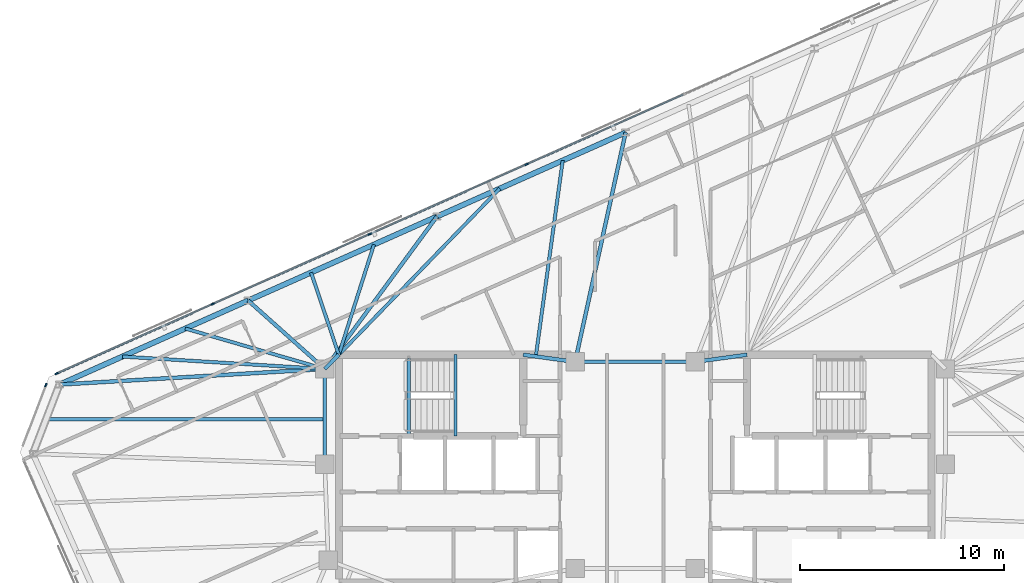
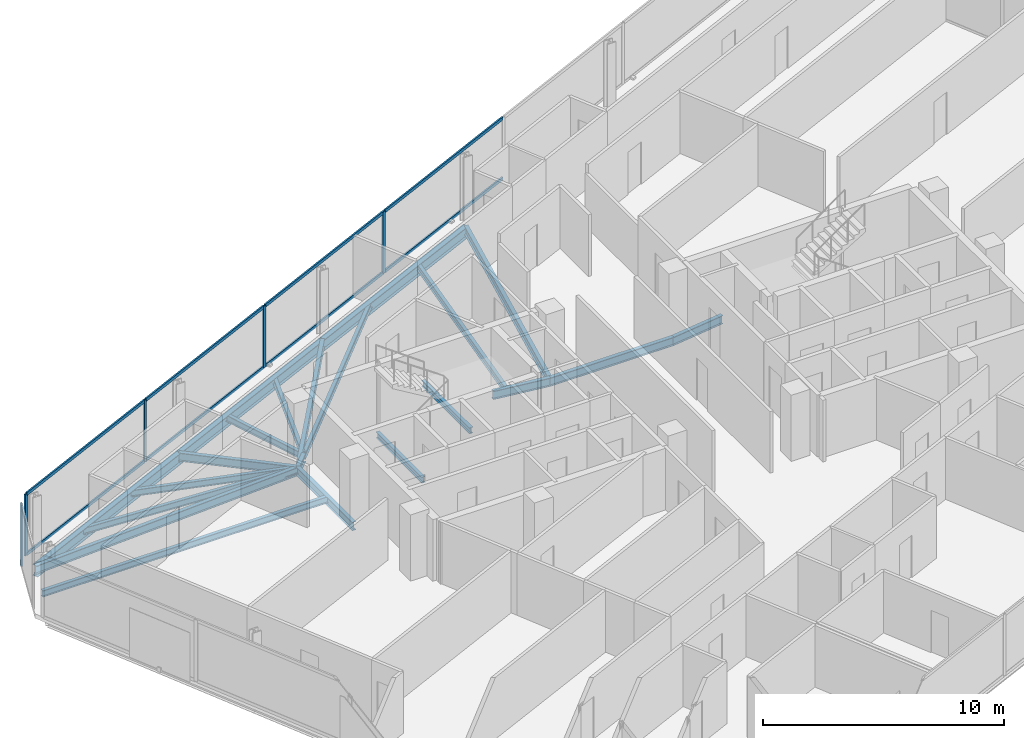
# One storey, part 9 of 19: 21 beams, 13 members, 2 elements without a shape of their own.
"""IFC4 building model written with IfcOpenShell, lengths in metres."""

import ifcopenshell
import ifcopenshell.guid

model = None  # the IFC model being written
_history = None  # IfcOwnerHistory: only IFC2X3 demands one
_inside = {}  # id of a spatial element -> (the spatial element, [elements in it])
_under = {}  # id of a project, library or spatial element -> (it, [spatial elements below it])
_declared = {}  # id of a project -> (the project, [libraries it declares])
_typed = {}  # id of a type object -> (the type object, [elements of that type])
_made_of = {}  # id of a material, layer set ... -> (it, [elements and type objects made of it])


def new_model(schema):
    """Start an empty IFC model of exactly this schema.

    Asked for "IFC4X3", IfcOpenShell would pick the latest addendum, in which some entities
    have other attributes; the version numbers below select the first issue.
    IFC2X3 requires an IfcOwnerHistory on every rooted entity: one is made here for all.
    """
    global model, _history
    if schema == "IFC4X3":
        model = ifcopenshell.file(schema_version=(4, 3, 0, 0))
    else:
        model = ifcopenshell.file(schema=schema)
    _inside.clear()
    _under.clear()
    _declared.clear()
    _typed.clear()
    _made_of.clear()
    _history = None
    if model.schema == "IFC2X3":
        org = make("IfcOrganization", Name="unknown")
        user = make(
            "IfcPersonAndOrganization",
            ThePerson=make("IfcPerson", FamilyName="unknown"),
            TheOrganization=org,
        )
        app = make(
            "IfcApplication",
            ApplicationDeveloper=org,
            Version="unknown",
            ApplicationFullName="unknown",
            ApplicationIdentifier="unknown",
        )
        _history = make(
            "IfcOwnerHistory",
            OwningUser=user,
            OwningApplication=app,
            ChangeAction="ADDED",
            CreationDate=0,
        )
    return model


def make(cls, **values):
    """One entity of the class cls with the attributes given. An attribute that is None is left unset."""
    return model.create_entity(
        cls, **{name: value for name, value in values.items() if value is not None}
    )


def rooted(cls, **values):
    """An entity with a GlobalId (a new one), such as an element, a storey or a relation."""
    return make(cls, GlobalId=ifcopenshell.guid.new(), OwnerHistory=_history, **values)


def si_unit(unit_type, name, prefix=None):
    """IfcSIUnit, for example si_unit("LENGTHUNIT", "METRE", prefix="MILLI")."""
    return make("IfcSIUnit", UnitType=unit_type, Prefix=prefix, Name=name)


def assignment(units):
    """IfcUnitAssignment: the units of a project."""
    return None if units is None else make("IfcUnitAssignment", Units=units)


def point(xyz):
    """IfcCartesianPoint."""
    return None if xyz is None else make("IfcCartesianPoint", Coordinates=xyz)


def direction(xyz):
    """IfcDirection."""
    return None if xyz is None else make("IfcDirection", DirectionRatios=xyz)


def frame(location, z_axis=None, x_axis=None):
    """IfcAxis2Placement3D, a coordinate frame: its origin and axes. An axis left out is left unset."""
    return make(
        "IfcAxis2Placement3D",
        Location=point(location),
        Axis=direction(z_axis),
        RefDirection=direction(x_axis),
    )


def frame_2d(location, x_axis=None):
    """IfcAxis2Placement2D, a coordinate frame in the plane: its origin and x axis."""
    return make(
        "IfcAxis2Placement2D", Location=point(location), RefDirection=direction(x_axis)
    )


def origin():
    """The frame at (0, 0, 0) with its axes left unset."""
    return frame((0.0, 0.0, 0.0))


def origin_2d():
    """The frame at (0, 0) in the plane with its x axis left unset."""
    return frame_2d((0.0, 0.0))


def place(relative_to, where):
    """IfcLocalPlacement: puts the frame where relative to a parent placement (None: the world)."""
    return make(
        "IfcLocalPlacement", PlacementRelTo=relative_to, RelativePlacement=where
    )


def context(
    kind, dimensions, precision=None, world=None, true_north=None, identifier=None
):
    """IfcGeometricRepresentationContext, for example the 3D "Model" context."""
    return make(
        "IfcGeometricRepresentationContext",
        ContextIdentifier=identifier,
        ContextType=kind,
        CoordinateSpaceDimension=dimensions,
        Precision=precision,
        WorldCoordinateSystem=world,
        TrueNorth=true_north,
    )


def subcontext(parent, identifier, kind, view, scale=None):
    """IfcGeometricRepresentationSubContext, for example "Body" below "Model"."""
    return make(
        "IfcGeometricRepresentationSubContext",
        ContextIdentifier=identifier,
        ContextType=kind,
        ParentContext=parent,
        TargetScale=scale,
        TargetView=view,
    )


def project(units=None, contexts=None):
    """IfcProject with its units and contexts."""
    return rooted(
        "IfcProject",
        Name="project",
        RepresentationContexts=contexts,
        UnitsInContext=assignment(units),
    )


def spatial(cls, under=None, at=None, **own):
    """A site, building, storey or space (cls), placed at a placement, below another one or the project."""
    s = rooted(cls, ObjectPlacement=at, **own)
    if under is not None:
        _under.setdefault(under.id(), (under, []))[1].append(s)
    return s


def profile(cls, at=None, kind="AREA", **sizes):
    """A parametric profile (cls). Its sizes go by their IFC names, for example OverallWidth=200.0."""
    return make(cls, ProfileType=kind, Position=at, **sizes)


def rectangle(**sizes):
    """IfcRectangleProfileDef."""
    return profile("IfcRectangleProfileDef", **sizes)


def i_section(**sizes):
    """IfcIShapeProfileDef."""
    return profile("IfcIShapeProfileDef", **sizes)


def extrude(swept, where, along, depth):
    """IfcExtrudedAreaSolid: the profile swept, set in the frame where, extruded along a direction by depth."""
    return make(
        "IfcExtrudedAreaSolid",
        SweptArea=swept,
        Position=where,
        ExtrudedDirection=direction(along),
        Depth=depth,
    )


def shape(context_of_items, identifier, shape_type, items):
    """IfcShapeRepresentation: the items that make up one representation, for example the "Body"."""
    return make(
        "IfcShapeRepresentation",
        ContextOfItems=context_of_items,
        RepresentationIdentifier=identifier,
        RepresentationType=shape_type,
        Items=items,
    )


def material(Name=None, Category=None):
    """IfcMaterial."""
    return make("IfcMaterial", Name=Name, Category=Category)


def material_profile(
    of_material, cross_section, Name=None, Category=None, Priority=None
):
    """IfcMaterialProfile: a cross section and its material."""
    return make(
        "IfcMaterialProfile",
        Name=Name,
        Material=of_material,
        Profile=cross_section,
        Priority=Priority,
        Category=Category,
    )


def profile_set(profiles, Name=None, composite=None):
    """IfcMaterialProfileSet."""
    return make(
        "IfcMaterialProfileSet",
        Name=Name,
        MaterialProfiles=profiles,
        CompositeProfile=composite,
    )


def made_of(thing, what):
    """Note that an element or type object is made of a material, layer set ...; save() writes the relation."""
    if what is not None:
        _made_of.setdefault(what.id(), (what, []))[1].append(thing)
    return thing


def type_object(cls, material=None, **own):
    """A type object (cls), such as IfcWallType, which elements share."""
    return made_of(rooted(cls, **own), material)


def element(
    cls,
    number,
    at=None,
    inside=None,
    cuts=None,
    type_object=None,
    material=None,
    context=None,
    identifier="Body",
    shape_type=None,
    held_by="IfcProductDefinitionShape",
    body=None,
    shapes=None,
    **own,
):
    """One element of the class cls, such as IfcWall. Its Tag is "e" and its number.

    at: its placement. inside: the storey or other place that contains it. cuts: it is an
    opening in that element (IfcRelVoidsElement). A single representation is given by context,
    identifier, shape_type and body (its items); several are given by shapes. held_by: the class
    of the entity that holds the representations. save() writes the other relations.
    """
    e = rooted(cls, Tag="e%d" % number, ObjectPlacement=at, **own)
    if body is not None:
        shapes = [shape(context, identifier, shape_type, body)]
    if shapes is not None:
        e.Representation = make(held_by, Representations=shapes)
    if inside is not None:
        _inside.setdefault(inside.id(), (inside, []))[1].append(e)
    if cuts is not None:
        rooted(
            "IfcRelVoidsElement", RelatingBuildingElement=cuts, RelatedOpeningElement=e
        )
    if type_object is not None:
        _typed.setdefault(type_object.id(), (type_object, []))[1].append(e)
    return made_of(e, material)


def aggregate(whole, parts):
    """IfcRelAggregates: a whole, such as a stair, and the parts it consists of."""
    return rooted("IfcRelAggregates", RelatingObject=whole, RelatedObjects=parts)


def save(model, path):
    """Write the relations noted so far, then the file.

    IfcRelAggregates (storeys below a building ...), IfcRelContainedInSpatialStructure (elements
    in a storey), IfcRelDefinesByType, IfcRelAssociatesMaterial and IfcRelDeclares: one each for
    every whole, place, type object, material and project.
    """
    for whole, parts in _under.values():
        aggregate(whole, parts)
    for where, things in _inside.values():
        rooted(
            "IfcRelContainedInSpatialStructure",
            RelatedElements=things,
            RelatingStructure=where,
        )
    for kind, things in _typed.values():
        rooted("IfcRelDefinesByType", RelatedObjects=things, RelatingType=kind)
    for what, things in _made_of.values():
        rooted("IfcRelAssociatesMaterial", RelatedObjects=things, RelatingMaterial=what)
    for by, libraries in _declared.values():
        rooted("IfcRelDeclares", RelatingContext=by, RelatedDefinitions=libraries)
    model.write(path)


model = new_model("IFC4")

# Units and contexts
model_context = context("Model", 3, precision=1e-05, world=origin(), true_north=direction((0.0, 1.0)))
body_context = subcontext(model_context, "Body", "Model", "MODEL_VIEW")
ifc_project = project(units=[si_unit("LENGTHUNIT", "METRE"), si_unit("AREAUNIT", "SQUARE_METRE"), si_unit("VOLUMEUNIT", "CUBIC_METRE"), si_unit("PLANEANGLEUNIT", "RADIAN"), si_unit("MASSUNIT", "GRAM", prefix="KILO")], contexts=[model_context])

# Site, building, storey
site_placement = place(None, origin())
site = spatial("IfcSite", under=ifc_project, at=site_placement, CompositionType="ELEMENT")
building_placement = place(site_placement, origin())
building = spatial("IfcBuilding", under=site, at=building_placement, Name="Menara Jurai Vektor", CompositionType="ELEMENT")
storey_placement = place(building_placement, frame((0.0, 0.0, 295.300048828125)))
storey = spatial("IfcBuildingStorey", under=building, at=storey_placement, Name="L79", CompositionType="ELEMENT", Elevation=295.300048828125)

# Curtain wall, members
ifc_material_1 = material(Name="Anodised Pale Aluminium & Low-E Double Glazing", Category="aluminium")
curtain_wall_type = type_object("IfcCurtainWallType", Name="CW-BLK5", PredefinedType="NOTDEFINED", material=ifc_material_1)
curtain_wall_1_placement = place(storey_placement, origin())
curtain_wall_1 = element("IfcCurtainWall", 1, at=curtain_wall_1_placement, inside=storey, type_object=curtain_wall_type, Name="Unitised Curtain Wall L79 F05", PredefinedType="NOTDEFINED")
ifc_material_2 = material(Name="Anodised Pale Aluminium Mullion", Category="aluminium")
ifc_material_profile_1 = material_profile(ifc_material_2, rectangle(XDim=0.074951171875, YDim=0.175048828125, at=origin_2d()), Name="ALU MUL 75x175")
ifc_profile_set_1 = profile_set([ifc_material_profile_1], Name="Anodised Pale Aluminium Mullion")
member_type_1 = type_object("IfcMemberType", Name="CW-BLK5-MUL", PredefinedType="MULLION", material=ifc_profile_set_1)
member_1_placement = place(storey_placement, frame((-5.327880859375, 14.957275390625, 0.0), z_axis=(0.0, 0.0, 1.0), x_axis=(0.406735498684, -0.913545967158, 0.0)))
member_1 = element("IfcMember", 2, at=member_1_placement, type_object=member_type_1, Name="CW-05 mullion 4", PredefinedType="MULLION", context=body_context, shape_type="SweptSolid", body=[
    extrude(rectangle(XDim=0.074951171875, YDim=0.175048828125, at=origin_2d()), origin(), (0.0, 0.0, 1.0), 3.125),
])
member_2_placement = place(storey_placement, frame((-13.038330078125, 11.5244140625, 0.0), z_axis=(0.0, 0.0, 1.0), x_axis=(0.406735498684, -0.913545967158, 0.0)))
member_2 = element("IfcMember", 3, at=member_2_placement, type_object=member_type_1, Name="CW-05 mullion 5", PredefinedType="MULLION", context=body_context, shape_type="SweptSolid", body=[
    extrude(rectangle(XDim=0.074951171875, YDim=0.175048828125, at=origin_2d()), origin(), (0.0, 0.0, 1.0), 3.125),
])
member_3_placement = place(storey_placement, frame((-20.748779296875, 8.091552734375, 0.0), z_axis=(0.0, 0.0, 1.0), x_axis=(0.406735498684, -0.913545967158, 0.0)))
member_3 = element("IfcMember", 4, at=member_3_placement, type_object=member_type_1, Name="CW-05 mullion 6", PredefinedType="MULLION", context=body_context, shape_type="SweptSolid", body=[
    extrude(rectangle(XDim=0.074951171875, YDim=0.175048828125, at=origin_2d()), origin(), (0.0, 0.0, 1.0), 3.125),
])
member_4_placement = place(storey_placement, frame((-28.4248046875, 4.674072265625, 0.0), z_axis=(0.0, 0.0, 1.0), x_axis=(0.406735498684, -0.913545967158, 0.0)))
member_4 = element("IfcMember", 5, at=member_4_placement, type_object=member_type_1, Name="CW-05 mullion 7", PredefinedType="MULLION", context=body_context, shape_type="SweptSolid", body=[
    extrude(rectangle(XDim=0.074951171875, YDim=0.175048828125, at=origin_2d()), origin(), (0.0, 0.0, 1.0), 3.125),
])

# Curtain wall, member
curtain_wall_2_placement = place(storey_placement, origin())
curtain_wall_2 = element("IfcCurtainWall", 6, at=curtain_wall_2_placement, inside=storey, type_object=curtain_wall_type, Name="Unitised Curtain Wall L79 F06", PredefinedType="NOTDEFINED")
member_5_placement = place(storey_placement, frame((-28.955810546875, 4.114501953125, 0.0), z_axis=(0.0, 0.0, 1.0), x_axis=(0.933578193639, -0.358373766287, 0.0)))
member_5 = element("IfcMember", 7, at=member_5_placement, type_object=member_type_1, Name="CW-05 mullion 1", PredefinedType="MULLION", context=body_context, shape_type="SweptSolid", body=[
    extrude(rectangle(XDim=0.074951171875, YDim=0.175048828125, at=origin_2d()), origin(), (0.0, 0.0, 1.0), 3.125),
])
aggregate(curtain_wall_2, [member_5])

# Member
ifc_material_3 = material(Name="Anodised Pale Aluminium Transom", Category="aluminium")
ifc_material_profile_2 = material_profile(ifc_material_3, rectangle(XDim=0.074951171875, YDim=0.155029296875, at=origin_2d()), Name="ALU TRN 75x155")
ifc_profile_set_2 = profile_set([ifc_material_profile_2], Name="Anodised Pale Aluminium Transom")
member_type_2 = type_object("IfcMemberType", Name="CW-BLK5-TRN", PredefinedType="USERDEFINED", material=ifc_profile_set_2)
member_6_placement = place(storey_placement, frame((2.34814453125, 18.375, 0.037353515625), z_axis=(-0.913546575494, -0.406734132331, 0.0), x_axis=(0.406734132331, -0.913546575494, 0.0)))
member_6 = element("IfcMember", 8, at=member_6_placement, type_object=member_type_2, Name="CW-05 transom 3.1", ObjectType="TRANSOM", PredefinedType="USERDEFINED", context=body_context, shape_type="SweptSolid", body=[
    extrude(rectangle(XDim=0.074951171875, YDim=0.155029296875, at=origin_2d()), origin(), (0.0, 0.0, 1.0), 8.364990234375),
])

member_7_placement = place(storey_placement, frame((2.34814453125, 18.375, 3.08740234375), z_axis=(-0.913546575494, -0.406734132331, 0.0), x_axis=(0.406734132331, -0.913546575494, 0.0)))
member_7 = element("IfcMember", 9, at=member_7_placement, type_object=member_type_2, Name="CW-05 transom 3.2", ObjectType="TRANSOM", PredefinedType="USERDEFINED", context=body_context, shape_type="SweptSolid", body=[
    extrude(rectangle(XDim=0.074951171875, YDim=0.155029296875, at=origin_2d()), origin(), (0.0, 0.0, 1.0), 8.364990234375),
])

member_8_placement = place(storey_placement, frame((-5.3623046875, 14.942138671875, 0.037353515625), z_axis=(-0.913546575494, -0.406734132331, 0.0), x_axis=(0.406734132331, -0.913546575494, 0.0)))
member_8 = element("IfcMember", 10, at=member_8_placement, type_object=member_type_2, Name="CW-05 transom 4.1", ObjectType="TRANSOM", PredefinedType="USERDEFINED", context=body_context, shape_type="SweptSolid", body=[
    extrude(rectangle(XDim=0.074951171875, YDim=0.155029296875, at=origin_2d()), origin(), (0.0, 0.0, 1.0), 8.364990234375),
])

member_9_placement = place(storey_placement, frame((-5.3623046875, 14.942138671875, 3.08740234375), z_axis=(-0.913546575494, -0.406734132331, 0.0), x_axis=(0.406734132331, -0.913546575494, 0.0)))
member_9 = element("IfcMember", 11, at=member_9_placement, type_object=member_type_2, Name="CW-05 transom 4.2", ObjectType="TRANSOM", PredefinedType="USERDEFINED", context=body_context, shape_type="SweptSolid", body=[
    extrude(rectangle(XDim=0.074951171875, YDim=0.155029296875, at=origin_2d()), origin(), (0.0, 0.0, 1.0), 8.364990234375),
])

member_10_placement = place(storey_placement, frame((-13.072509765625, 11.50927734375, 0.037353515625), z_axis=(-0.913546575494, -0.406734132331, 0.0), x_axis=(0.406734132331, -0.913546575494, 0.0)))
member_10 = element("IfcMember", 12, at=member_10_placement, type_object=member_type_2, Name="CW-05 transom 5.1", ObjectType="TRANSOM", PredefinedType="USERDEFINED", context=body_context, shape_type="SweptSolid", body=[
    extrude(rectangle(XDim=0.074951171875, YDim=0.155029296875, at=origin_2d()), origin(), (0.0, 0.0, 1.0), 8.364990234375),
])

member_11_placement = place(storey_placement, frame((-13.072509765625, 11.50927734375, 3.08740234375), z_axis=(-0.913546575494, -0.406734132331, 0.0), x_axis=(0.406734132331, -0.913546575494, 0.0)))
member_11 = element("IfcMember", 13, at=member_11_placement, type_object=member_type_2, Name="CW-05 transom 5.2", ObjectType="TRANSOM", PredefinedType="USERDEFINED", context=body_context, shape_type="SweptSolid", body=[
    extrude(rectangle(XDim=0.074951171875, YDim=0.155029296875, at=origin_2d()), origin(), (0.0, 0.0, 1.0), 8.364990234375),
])

member_12_placement = place(storey_placement, frame((-20.782958984375, 8.076416015625, 0.037353515625), z_axis=(-0.91353811338, -0.406753138159, 0.0), x_axis=(0.406753138159, -0.91353811338, 0.0)))
member_12 = element("IfcMember", 14, at=member_12_placement, type_object=member_type_2, Name="CW-05 transom 6.1", ObjectType="TRANSOM", PredefinedType="USERDEFINED", context=body_context, shape_type="SweptSolid", body=[
    extrude(rectangle(XDim=0.074951171875, YDim=0.155029296875, at=origin_2d()), origin(), (0.0, 0.0, 1.0), 8.327392578125),
])

member_13_placement = place(storey_placement, frame((-20.782958984375, 8.076416015625, 3.08740234375), z_axis=(-0.91353811338, -0.406753138159, 0.0), x_axis=(0.406753138159, -0.91353811338, 0.0)))
member_13 = element("IfcMember", 15, at=member_13_placement, type_object=member_type_2, Name="CW-05 transom 6.2", ObjectType="TRANSOM", PredefinedType="USERDEFINED", context=body_context, shape_type="SweptSolid", body=[
    extrude(rectangle(XDim=0.074951171875, YDim=0.155029296875, at=origin_2d()), origin(), (0.0, 0.0, 1.0), 8.327392578125),
])

aggregate(curtain_wall_1, [member_1, member_2, member_3, member_4, member_6, member_7, member_8, member_9, member_10, member_11, member_12, member_13])

# Beams
ifc_material_4 = material(Name="Steel S355", Category="steel")
ifc_material_profile_3 = material_profile(ifc_material_4, i_section(OverallWidth=0.18505859375, OverallDepth=0.429931640625, WebThickness=0.010986328125, FlangeThickness=0.01806640625, at=origin_2d()), Name="PG 430x185x76")
ifc_profile_set_3 = profile_set([ifc_material_profile_3], Name="Steel S355")
beam_type_1 = type_object("IfcBeamType", Name="STR-BM-430", PredefinedType="BEAM", material=ifc_profile_set_3)
beam_1_placement = place(storey_placement, frame((-15.25, 4.89990234375, -0.43994140625), z_axis=(0.701871936926, 0.712303154672, 0.0), x_axis=(-0.712303154672, 0.701871936926, 0.0)))
element("IfcBeam", 16, at=beam_1_placement, inside=storey, type_object=beam_type_1, Name="Core Ring Header Girder L79-CHW-N1", PredefinedType="BEAM", context=body_context, shape_type="SweptSolid", body=[
    extrude(i_section(OverallWidth=0.18505859375, OverallDepth=0.429931640625, WebThickness=0.010986328125, FlangeThickness=0.01806640625, at=origin_2d()), origin(), (0.0, 0.0, 1.0), 0.98291015625),
])
beam_2_placement = place(storey_placement, frame((-5.5, 5.60009765625, -0.43994140625), z_axis=(0.990706818608, -0.136014703483, 0.0), x_axis=(0.136014703483, 0.990706818608, 0.0)))
element("IfcBeam", 17, at=beam_2_placement, inside=storey, type_object=beam_type_1, Name="Core Ring Header Girder L79-CHW-N2", PredefinedType="BEAM", context=body_context, shape_type="SweptSolid", body=[
    extrude(i_section(OverallWidth=0.18505859375, OverallDepth=0.429931640625, WebThickness=0.010986328125, FlangeThickness=0.01806640625, at=origin_2d()), origin(), (0.0, 0.0, 1.0), 2.573974609375),
])
beam_3_placement = place(storey_placement, frame((-15.25, 0.219970703125, -0.43994140625), z_axis=(0.0, 1.0, 0.0), x_axis=(-1.0, 0.0, 0.0)))
element("IfcBeam", 18, at=beam_3_placement, inside=storey, type_object=beam_type_1, Name="Core Ring Header Girder L79-CHW-W1", PredefinedType="BEAM", context=body_context, shape_type="SweptSolid", body=[
    extrude(i_section(OverallWidth=0.18505859375, OverallDepth=0.429931640625, WebThickness=0.010986328125, FlangeThickness=0.01806640625, at=origin_2d()), origin(), (0.0, 0.0, 1.0), 4.679931640625),
])
beam_4_placement = place(storey_placement, frame((2.949951171875, 5.25, -0.43994140625), z_axis=(0.990706818608, 0.136014703483, 0.0), x_axis=(-0.136014703483, 0.990706818608, 0.0)))
element("IfcBeam", 19, at=beam_4_placement, inside=storey, type_object=beam_type_1, Name="Core Ring Header Girder L79-CHE-N1", PredefinedType="BEAM", context=body_context, shape_type="SweptSolid", body=[
    extrude(i_section(OverallWidth=0.18505859375, OverallDepth=0.429931640625, WebThickness=0.010986328125, FlangeThickness=0.01806640625, at=origin_2d()), origin(), (0.0, 0.0, 1.0), 2.573974609375),
])
beam_5_placement = place(storey_placement, frame((-2.949951171875, 5.25, -0.43994140625), z_axis=(1.0, 0.0, 0.0), x_axis=(0.0, 1.0, 0.0)))
element("IfcBeam", 20, at=beam_5_placement, inside=storey, type_object=beam_type_1, Name="Core Ring Header Girder L79-CC-2", PredefinedType="BEAM", context=body_context, shape_type="SweptSolid", body=[
    extrude(i_section(OverallWidth=0.18505859375, OverallDepth=0.429931640625, WebThickness=0.010986328125, FlangeThickness=0.01806640625, at=origin_2d()), origin(), (0.0, 0.0, 1.0), 5.89990234375),
])
beam_6_placement = place(storey_placement, frame((-0.467529296875, 16.519287109375, -0.43994140625), z_axis=(-0.215124522255, -0.976586626943, 0.0), x_axis=(0.976586626943, -0.215124522255, 0.0)))
element("IfcBeam", 21, at=beam_6_placement, inside=storey, type_object=beam_type_1, Name="Radial Floor Girder L79-N3", PredefinedType="BEAM", context=body_context, shape_type="SweptSolid", body=[
    extrude(i_section(OverallWidth=0.18505859375, OverallDepth=0.429931640625, WebThickness=0.010986328125, FlangeThickness=0.01806640625, at=origin_2d()), origin(), (0.0, 0.0, 1.0), 11.53955078125),
])
beam_7_placement = place(storey_placement, frame((-9.740966796875, 12.390380859375, -0.43994140625), z_axis=(-0.592483178081, -0.805582822366, 0.0), x_axis=(0.805582822366, -0.592483178081, 0.0)))
element("IfcBeam", 22, at=beam_7_placement, inside=storey, type_object=beam_type_1, Name="Radial Floor Girder L79-N4", PredefinedType="BEAM", context=body_context, shape_type="SweptSolid", body=[
    extrude(i_section(OverallWidth=0.18505859375, OverallDepth=0.429931640625, WebThickness=0.010986328125, FlangeThickness=0.01806640625, at=origin_2d()), origin(), (0.0, 0.0, 1.0), 9.298095703125),
])
beam_8_placement = place(storey_placement, frame((-19.0146484375, 8.26171875, -0.43994140625), z_axis=(0.745886163995, -0.666073442167, 0.0), x_axis=(0.666073442167, 0.745886163995, 0.0)))
element("IfcBeam", 23, at=beam_8_placement, inside=storey, type_object=beam_type_1, Name="Radial Floor Girder L79-N5", PredefinedType="BEAM", context=body_context, shape_type="SweptSolid", body=[
    extrude(i_section(OverallWidth=0.18505859375, OverallDepth=0.429931640625, WebThickness=0.010986328125, FlangeThickness=0.01806640625, at=origin_2d()), origin(), (0.0, 0.0, 1.0), 5.047119140625),
])
beam_9_placement = place(storey_placement, frame((-28.2880859375, 4.1328125, -0.43994140625), z_axis=(0.998273728533, 0.058732979834, 0.0), x_axis=(-0.058732979834, 0.998273728533, 0.0)))
element("IfcBeam", 24, at=beam_9_placement, inside=storey, type_object=beam_type_1, Name="Radial Floor Girder L79-N6", PredefinedType="BEAM", context=body_context, shape_type="SweptSolid", body=[
    extrude(i_section(OverallWidth=0.18505859375, OverallDepth=0.429931640625, WebThickness=0.010986328125, FlangeThickness=0.01806640625, at=origin_2d()), origin(), (0.0, 0.0, 1.0), 13.060546875),
])
ifc_material_profile_4 = material_profile(ifc_material_4, i_section(OverallWidth=0.1650390625, OverallDepth=0.330078125, WebThickness=0.009033203125, FlangeThickness=0.013916015625, at=origin_2d()), Name="PG 330x165x46")
ifc_profile_set_4 = profile_set([ifc_material_profile_4], Name="Steel S355")
beam_type_2 = type_object("IfcBeamType", Name="STR-JS-330", PredefinedType="JOIST", material=ifc_profile_set_4)
beam_10_placement = place(storey_placement, frame((-3.55859375, 15.14306640625, -0.39013671875), z_axis=(-0.135981954601, -0.990711314169, 0.0), x_axis=(0.990711314169, -0.135981954601, 0.0)))
element("IfcBeam", 25, at=beam_10_placement, inside=storey, type_object=beam_type_2, Name="Radial Secondary Floor Joist L79-JS19", PredefinedType="JOIST", context=body_context, shape_type="SweptSolid", body=[
    extrude(i_section(OverallWidth=0.1650390625, OverallDepth=0.330078125, WebThickness=0.009033203125, FlangeThickness=0.013916015625, at=origin_2d()), origin(), (0.0, 0.0, 1.0), 9.718505859375),
])
beam_11_placement = place(storey_placement, frame((-6.64990234375, 13.766845703125, -0.39013671875), z_axis=(-0.695732556791, -0.718300918433, 0.0), x_axis=(0.718300918433, -0.695732556791, 0.0)))
element("IfcBeam", 26, at=beam_11_placement, inside=storey, type_object=beam_type_2, Name="Radial Secondary Floor Joist L79-JS20", PredefinedType="JOIST", context=body_context, shape_type="SweptSolid", body=[
    extrude(i_section(OverallWidth=0.1650390625, OverallDepth=0.330078125, WebThickness=0.009033203125, FlangeThickness=0.013916015625, at=origin_2d()), origin(), (0.0, 0.0, 1.0), 11.36962890625),
])
beam_12_placement = place(storey_placement, frame((-12.832275390625, 11.01416015625, -0.39013671875), z_axis=(-0.304022753529, -0.952664770702, 0.0), x_axis=(0.952664770702, -0.304022753529, 0.0)))
element("IfcBeam", 27, at=beam_12_placement, inside=storey, type_object=beam_type_2, Name="Radial Secondary Floor Joist L79-JS21", PredefinedType="JOIST", context=body_context, shape_type="SweptSolid", body=[
    extrude(i_section(OverallWidth=0.1650390625, OverallDepth=0.330078125, WebThickness=0.009033203125, FlangeThickness=0.013916015625, at=origin_2d()), origin(), (0.0, 0.0, 1.0), 5.68310546875),
])
beam_13_placement = place(storey_placement, frame((-15.92333984375, 9.637939453125, -0.39013671875), z_axis=(0.319885998438, -0.947456040143, 0.0), x_axis=(0.947456040143, 0.319885998438, 0.0)))
element("IfcBeam", 28, at=beam_13_placement, inside=storey, type_object=beam_type_2, Name="Radial Secondary Floor Joist L79-JS22", PredefinedType="JOIST", context=body_context, shape_type="SweptSolid", body=[
    extrude(i_section(OverallWidth=0.1650390625, OverallDepth=0.330078125, WebThickness=0.009033203125, FlangeThickness=0.013916015625, at=origin_2d()), origin(), (0.0, 0.0, 1.0), 4.26171875),
])
beam_14_placement = place(storey_placement, frame((-22.105712890625, 6.885498046875, -0.39013671875), z_axis=(0.960525066064, -0.278193453306, 0.0), x_axis=(0.278193453306, 0.960525066064, 0.0)))
element("IfcBeam", 29, at=beam_14_placement, inside=storey, type_object=beam_type_2, Name="Radial Secondary Floor Joist L79-JS23", PredefinedType="JOIST", context=body_context, shape_type="SweptSolid", body=[
    extrude(i_section(OverallWidth=0.1650390625, OverallDepth=0.330078125, WebThickness=0.009033203125, FlangeThickness=0.013916015625, at=origin_2d()), origin(), (0.0, 0.0, 1.0), 7.137451171875),
])
beam_15_placement = place(storey_placement, frame((-25.197021484375, 5.509033203125, -0.39013671875), z_axis=(0.998130240593, -0.061123013776, 0.0), x_axis=(0.061123013776, 0.998130240593, 0.0)))
element("IfcBeam", 30, at=beam_15_placement, inside=storey, type_object=beam_type_2, Name="Radial Secondary Floor Joist L79-JS24", PredefinedType="JOIST", context=body_context, shape_type="SweptSolid", body=[
    extrude(i_section(OverallWidth=0.1650390625, OverallDepth=0.330078125, WebThickness=0.009033203125, FlangeThickness=0.013916015625, at=origin_2d()), origin(), (0.0, 0.0, 1.0), 9.965576171875),
])
beam_16_placement = place(storey_placement, frame((-28.93994140625, 2.434814453125, -0.39013671875), z_axis=(1.0, 0.0, 0.0), x_axis=(0.0, 1.0, 0.0)))
element("IfcBeam", 31, at=beam_16_placement, inside=storey, type_object=beam_type_2, Name="Radial Secondary Floor Joist L79-JS25", PredefinedType="JOIST", context=body_context, shape_type="SweptSolid", body=[
    extrude(i_section(OverallWidth=0.1650390625, OverallDepth=0.330078125, WebThickness=0.009033203125, FlangeThickness=0.013916015625, at=origin_2d()), origin(), (0.0, 0.0, 1.0), 13.68994140625),
])
ifc_material_profile_5 = material_profile(ifc_material_4, i_section(OverallWidth=0.1650390625, OverallDepth=0.302978515625, WebThickness=0.006103515625, FlangeThickness=0.010009765625, FilletRadius=0.009033203125, at=origin_2d()), Name="UKB 305x165x40")
ifc_profile_set_5 = profile_set([ifc_material_profile_5], Name="Steel S355")
beam_type_3 = type_object("IfcBeamType", Name="STR-LN-305", PredefinedType="LINTEL", material=ifc_profile_set_5)
beam_17_placement = place(storey_placement, frame((-11.1201171875, 1.60009765625, -0.37646484375), z_axis=(0.0, 1.0, 0.0), x_axis=(-1.0, 0.0, 0.0)))
element("IfcBeam", 32, at=beam_17_placement, inside=storey, type_object=beam_type_3, Name="Stair Well Floor Trimmer ST1 L79", PredefinedType="LINTEL", context=body_context, shape_type="SweptSolid", body=[
    extrude(i_section(OverallWidth=0.1650390625, OverallDepth=0.302978515625, WebThickness=0.006103515625, FlangeThickness=0.010009765625, FilletRadius=0.009033203125, at=origin_2d()), origin(), (0.0, 0.0, 1.0), 3.81982421875),
])
beam_18_placement = place(storey_placement, frame((-8.830078125, 1.60009765625, 1.323486328125), z_axis=(0.0, 1.0, 0.0), x_axis=(-1.0, 0.0, 0.0)))
element("IfcBeam", 33, at=beam_18_placement, inside=storey, type_object=beam_type_3, Name="Stair Half-Landing Nosing Trimmer ST1-1 L79", PredefinedType="LINTEL", context=body_context, shape_type="SweptSolid", body=[
    extrude(i_section(OverallWidth=0.1650390625, OverallDepth=0.302978515625, WebThickness=0.006103515625, FlangeThickness=0.010009765625, FilletRadius=0.009033203125, at=origin_2d()), origin(), (0.0, 0.0, 1.0), 4.0),
])
ifc_material_profile_6 = material_profile(ifc_material_4, i_section(OverallWidth=0.260009765625, OverallDepth=0.570068359375, WebThickness=0.013916015625, FlangeThickness=0.02392578125, at=origin_2d()), Name="PG 570x260x145")
ifc_profile_set_6 = profile_set([ifc_material_profile_6], Name="Steel S355")
beam_type_4 = type_object("IfcBeamType", Name="STR-SP-570", PredefinedType="SPANDREL", material=ifc_profile_set_6)
for number, where, z_axis, x_axis, name in (
    (34, (-0.467529296875, 16.519287109375, -0.510009765625), (-0.913541582548, -0.406745346568, 0.0), (0.406745346568, -0.913541582548, 0.0), "Exoskeleton Spandrel Beam L79-13"),
    (35, (-9.740966796875, 12.390380859375, -0.510009765625), (-0.913554497648, -0.406716338284, 0.0), (0.406716338284, -0.913554497648, 0.0), "Exoskeleton Spandrel Beam L79-14"),
    (36, (-19.0146484375, 8.26171875, -0.510009765625), (-0.913541582548, -0.406745346568, 0.0), (0.406745346568, -0.913541582548, 0.0), "Exoskeleton Spandrel Beam L79-15"),
):
    element("IfcBeam", number, at=place(storey_placement, frame(where, z_axis=z_axis, x_axis=x_axis)), inside=storey, type_object=beam_type_4, Name=name, PredefinedType="SPANDREL", context=body_context, shape_type="SweptSolid", body=[
        extrude(i_section(OverallWidth=0.260009765625, OverallDepth=0.570068359375, WebThickness=0.013916015625, FlangeThickness=0.02392578125, at=origin_2d()), origin(), (0.0, 0.0, 1.0), 10.151123046875),
    ])

save(model, "model.ifc")
